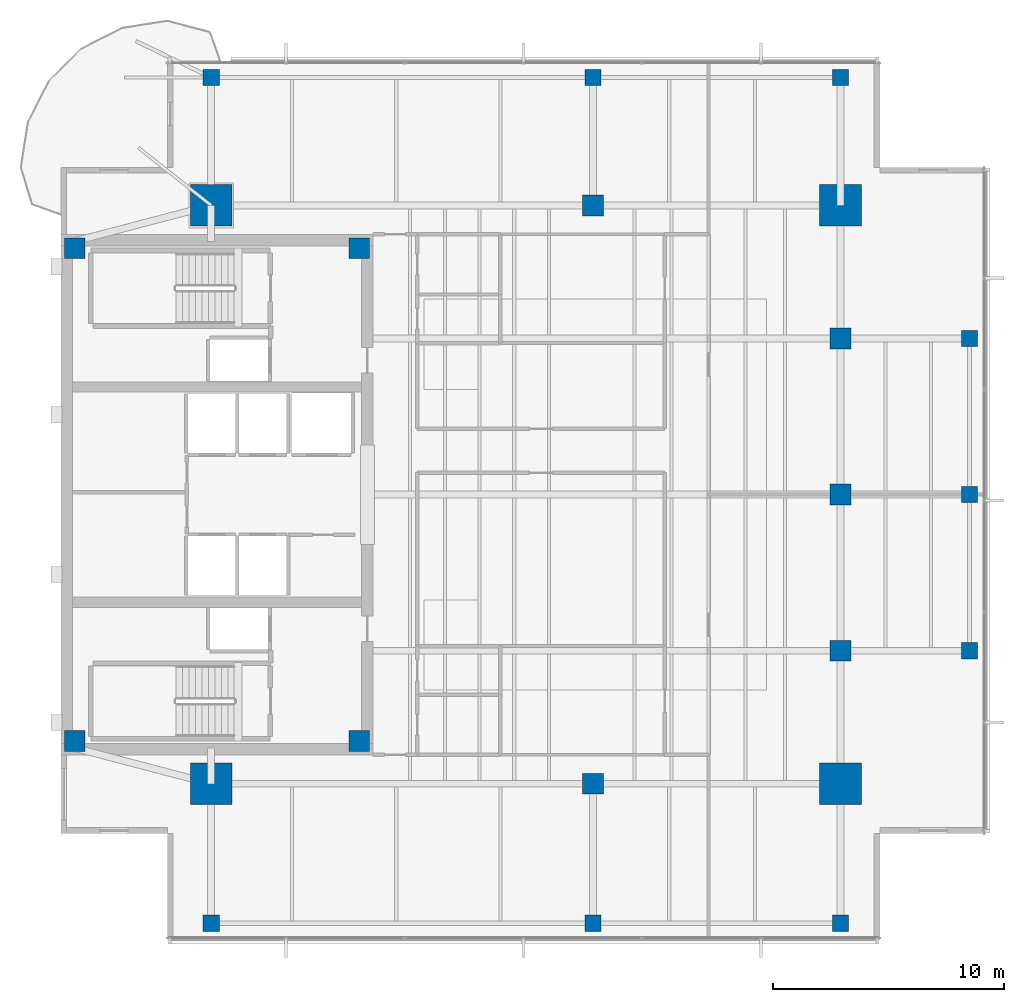
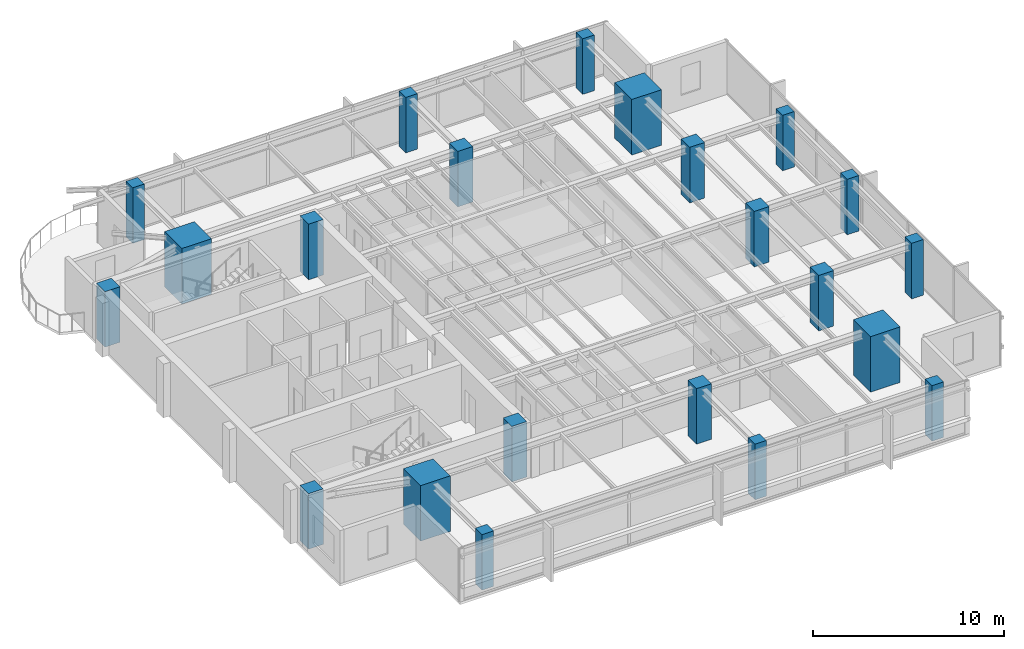
# One storey, part 1 of 14: 22 columns.
"""IFC4 building model written with IfcOpenShell, lengths in metres."""

from ifc_helpers import new_model, si_unit, direction, frame, origin, origin_2d, place, context, subcontext, project, spatial, rectangle, extrude, material, material_profile, profile_set, type_object, element, save


model = new_model("IFC4")

# Units and contexts
model_context = context("Model", 3, precision=1e-05, world=origin(), true_north=direction((0.0, 1.0)))
body_context = subcontext(model_context, "Body", "Model", "MODEL_VIEW")
ifc_project = project(units=[si_unit("LENGTHUNIT", "METRE"), si_unit("AREAUNIT", "SQUARE_METRE"), si_unit("VOLUMEUNIT", "CUBIC_METRE"), si_unit("PLANEANGLEUNIT", "RADIAN"), si_unit("MASSUNIT", "GRAM", prefix="KILO")], contexts=[model_context])

# Site, building, storey
site_placement = place(None, origin())
site = spatial("IfcSite", under=ifc_project, at=site_placement, CompositionType="ELEMENT")
building_placement = place(site_placement, origin())
building = spatial("IfcBuilding", under=site, at=building_placement, Name="Kinhvarn Gate Tower", CompositionType="ELEMENT")
storey_placement = place(building_placement, frame((0.0, 0.0, 263.449951171875)))
storey = spatial("IfcBuildingStorey", under=building, at=storey_placement, Name="L70", CompositionType="ELEMENT", Elevation=263.449951171875)

# Columns
ifc_material_1 = material(Name="Concrete C60/75", Category="concrete")
ifc_material_profile_1 = material_profile(ifc_material_1, rectangle(XDim=1.800048828125, YDim=1.800048828125, at=origin_2d()), Name="RC 1800x1800")
ifc_profile_set_1 = profile_set([ifc_material_profile_1], Name="Concrete C60/75")
column_type_1 = type_object("IfcColumnType", Name="COL-MC-1800", PredefinedType="COLUMN", material=ifc_profile_set_1)
for number, where, z_axis, x_axis, name in (
    (1, (11.0, 12.75, 0.0), (0.0, 0.0, 1.0), (1.0, 0.0, 0.0), "Column MC1-L70 (MC-18)"),
    (2, (11.0, 37.75, 0.0), (0.0, 0.0, 1.0), (1.0, 0.0, 0.0), "Column MC4-L70 (MC-18)"),
    (3, (38.199951171875, 12.75, 0.0), (0.0, 0.0, 1.0), (1.0, 0.0, 0.0), "Column MC2-L70 (MC-18)"),
    (4, (38.199951171875, 37.75, 0.0), (0.0, 0.0, 1.0), (1.0, 0.0, 0.0), "Column MC3-L70 (MC-18)"),
):
    element("IfcColumn", number, at=place(storey_placement, frame(where, z_axis=z_axis, x_axis=x_axis)), inside=storey, type_object=column_type_1, Name=name, PredefinedType="COLUMN", context=body_context, shape_type="SweptSolid", body=[
        extrude(rectangle(XDim=1.800048828125, YDim=1.800048828125, at=origin_2d()), origin(), (0.0, 0.0, 1.0), 3.550048828125),
    ])
ifc_material_2 = material(Name="Concrete C50/60", Category="concrete")
ifc_material_profile_2 = material_profile(ifc_material_2, rectangle(XDim=0.699951171875, YDim=0.699951171875, at=origin_2d()), Name="RC 700x700")
ifc_profile_set_2 = profile_set([ifc_material_profile_2], Name="Concrete C50/60")
column_type_2 = type_object("IfcColumnType", Name="COL-RC-700", PredefinedType="COLUMN", material=ifc_profile_set_2)
for number, where, z_axis, x_axis, name in (
    (5, (43.780029296875, 18.5, 0.0), (0.0, 0.0, 1.0), (1.0, 0.0, 0.0), "Column CE-1-L70 (C-070)"),
    (6, (43.780029296875, 25.25, 0.0), (0.0, 0.0, 1.0), (1.0, 0.0, 0.0), "Column CE-2-L70 (C-070)"),
    (7, (43.780029296875, 32.0, 0.0), (0.0, 0.0, 1.0), (1.0, 0.0, 0.0), "Column CE-3-L70 (C-070)"),
    (8, (11.0, 6.719970703125, 0.0), (0.0, 0.0, 1.0), (1.0, 0.0, 0.0), "Column CS-0-L70 (C-070)"),
    (9, (27.5, 6.719970703125, 0.0), (0.0, 0.0, 1.0), (1.0, 0.0, 0.0), "Column CS-1-L70 (C-070)"),
    (10, (38.199951171875, 6.719970703125, 0.0), (0.0, 0.0, 1.0), (1.0, 0.0, 0.0), "Column CS-2-L70 (C-070)"),
    (11, (11.0, 43.280029296875, 0.0), (0.0, 0.0, 1.0), (1.0, 0.0, 0.0), "Column CN-0-L70 (C-070)"),
    (12, (27.5, 43.280029296875, 0.0), (0.0, 0.0, 1.0), (1.0, 0.0, 0.0), "Column CN-1-L70 (C-070)"),
    (13, (38.199951171875, 43.280029296875, 0.0), (0.0, 0.0, 1.0), (1.0, 0.0, 0.0), "Column CN-2-L70 (C-070)"),
):
    element("IfcColumn", number, at=place(storey_placement, frame(where, z_axis=z_axis, x_axis=x_axis)), inside=storey, type_object=column_type_2, Name=name, PredefinedType="COLUMN", context=body_context, shape_type="SweptSolid", body=[
        extrude(rectangle(XDim=0.699951171875, YDim=0.699951171875, at=origin_2d()), origin(), (0.0, 0.0, 1.0), 3.550048828125),
    ])
ifc_material_profile_3 = material_profile(ifc_material_1, rectangle(XDim=0.89990234375, YDim=0.89990234375, at=origin_2d()), Name="RC 900x900")
ifc_profile_set_3 = profile_set([ifc_material_profile_3], Name="Concrete C60/75")
column_type_3 = type_object("IfcColumnType", Name="COL-RC-900", PredefinedType="COLUMN", material=ifc_profile_set_3)
for number, where, z_axis, x_axis, name in (
    (14, (27.5, 12.75, 0.0), (0.0, 0.0, 1.0), (1.0, 0.0, 0.0), "Column SP27-S-L70 (C-090)"),
    (15, (27.5, 37.75, 0.0), (0.0, 0.0, 1.0), (1.0, 0.0, 0.0), "Column SP27-N-L70 (C-090)"),
    (16, (38.199951171875, 18.5, 0.0), (0.0, 0.0, 1.0), (1.0, 0.0, 0.0), "Column SP38-E1-L70 (C-090)"),
    (17, (38.199951171875, 25.25, 0.0), (0.0, 0.0, 1.0), (1.0, 0.0, 0.0), "Column SP38-E2-L70 (C-090)"),
    (18, (38.199951171875, 32.0, 0.0), (0.0, 0.0, 1.0), (1.0, 0.0, 0.0), "Column SP38-E3-L70 (C-090)"),
):
    element("IfcColumn", number, at=place(storey_placement, frame(where, z_axis=z_axis, x_axis=x_axis)), inside=storey, type_object=column_type_3, Name=name, PredefinedType="COLUMN", context=body_context, shape_type="SweptSolid", body=[
        extrude(rectangle(XDim=0.89990234375, YDim=0.89990234375, at=origin_2d()), origin(), (0.0, 0.0, 1.0), 3.550048828125),
    ])
ifc_material_profile_4 = material_profile(ifc_material_2, rectangle(XDim=0.89990234375, YDim=0.89990234375, at=origin_2d()), Name="RC 900x900")
ifc_profile_set_4 = profile_set([ifc_material_profile_4], Name="Concrete C50/60")
column_type_4 = type_object("IfcColumnType", Name="PIL-RC-900", PredefinedType="PILASTER", material=ifc_profile_set_4)
for number, where, z_axis, x_axis, name in (
    (19, (5.10009765625, 14.60009765625, 0.0), (0.0, 0.0, 1.0), (1.0, 0.0, 0.0), "Column CC-SW-L70 (CP-090)"),
    (20, (5.10009765625, 35.89990234375, 0.0), (0.0, 0.0, 1.0), (1.0, 0.0, 0.0), "Column CC-NW-L70 (CP-090)"),
    (21, (17.39990234375, 14.60009765625, 0.0), (0.0, 0.0, 1.0), (1.0, 0.0, 0.0), "Column CC-SE-L70 (CP-090)"),
    (22, (17.39990234375, 35.89990234375, 0.0), (0.0, 0.0, 1.0), (1.0, 0.0, 0.0), "Column CC-NE-L70 (CP-090)"),
):
    element("IfcColumn", number, at=place(storey_placement, frame(where, z_axis=z_axis, x_axis=x_axis)), inside=storey, type_object=column_type_4, Name=name, PredefinedType="PILASTER", context=body_context, shape_type="SweptSolid", body=[
        extrude(rectangle(XDim=0.89990234375, YDim=0.89990234375, at=origin_2d()), origin(), (0.0, 0.0, 1.0), 3.550048828125),
    ])

save(model, "model.ifc")
